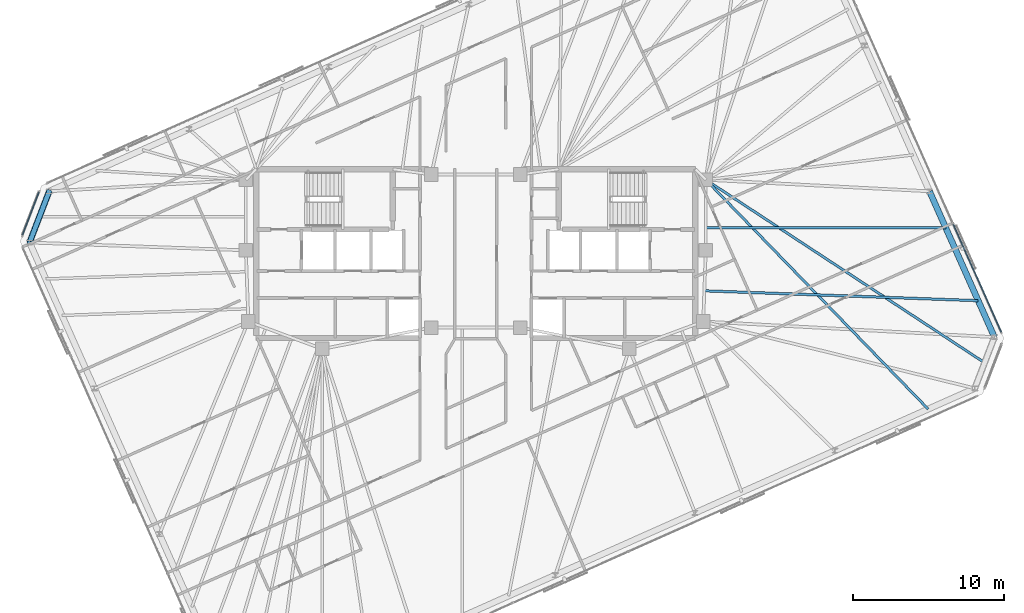
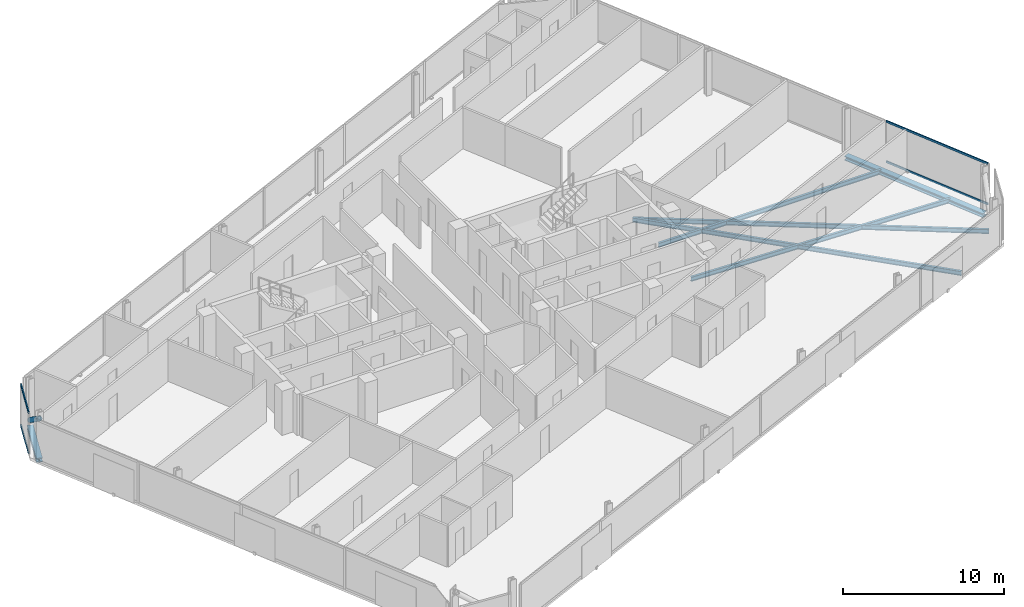
# One storey, part 8 of 18: 6 beams, 5 members, 2 elements without a shape of their own.
"""IFC4 building model written with IfcOpenShell, lengths in metres."""

from ifc_helpers import new_model, si_unit, direction, frame, origin, origin_2d, place, context, subcontext, project, spatial, rectangle, hollow_circle, i_section, extrude, material, material_profile, profile_set, type_object, element, aggregate, save


model = new_model("IFC4")

# Units and contexts
model_context = context("Model", 3, precision=1e-05, world=origin(), true_north=direction((0.0, 1.0)))
body_context = subcontext(model_context, "Body", "Model", "MODEL_VIEW")
ifc_project = project(units=[si_unit("LENGTHUNIT", "METRE"), si_unit("AREAUNIT", "SQUARE_METRE"), si_unit("VOLUMEUNIT", "CUBIC_METRE"), si_unit("PLANEANGLEUNIT", "RADIAN"), si_unit("MASSUNIT", "GRAM", prefix="KILO")], contexts=[model_context])

# Site, building, storey
site_placement = place(None, origin())
site = spatial("IfcSite", under=ifc_project, at=site_placement, CompositionType="ELEMENT")
building_placement = place(site_placement, origin())
building = spatial("IfcBuilding", under=site, at=building_placement, Name="Menara Jurai Vektor", CompositionType="ELEMENT")
storey_placement = place(building_placement, frame((0.0, 0.0, 258.85009765625)))
storey = spatial("IfcBuildingStorey", under=building, at=storey_placement, Name="L69", CompositionType="ELEMENT", Elevation=258.85009765625)

# Curtain wall, members
ifc_material_1 = material(Name="Anodised Pale Aluminium & Low-E Double Glazing", Category="aluminium")
curtain_wall_type = type_object("IfcCurtainWallType", Name="CW-BLK5", PredefinedType="NOTDEFINED", material=ifc_material_1)
curtain_wall_1_placement = place(storey_placement, origin())
curtain_wall_1 = element("IfcCurtainWall", 1, at=curtain_wall_1_placement, inside=storey, type_object=curtain_wall_type, Name="Unitised Curtain Wall L69 F03", PredefinedType="NOTDEFINED")
ifc_material_2 = material(Name="Anodised Pale Aluminium Transom", Category="aluminium")
ifc_material_profile_1 = material_profile(ifc_material_2, rectangle(XDim=0.074951171875, YDim=0.155029296875, at=origin_2d()), Name="ALU TRN 75x155")
ifc_profile_set_1 = profile_set([ifc_material_profile_1], Name="Anodised Pale Aluminium Transom")
member_type_1 = type_object("IfcMemberType", Name="CW-BLK5-TRN", PredefinedType="USERDEFINED", material=ifc_profile_set_1)
member_1_placement = place(storey_placement, frame((34.840087890625, -5.19189453125, 0.037353515625), z_axis=(-0.406739711224, 0.913544091609, 0.0), x_axis=(-0.913544091609, -0.406739711224, 0.0)))
member_1 = element("IfcMember", 2, at=member_1_placement, type_object=member_type_1, Name="CW-05 transom 1.1", ObjectType="TRANSOM", PredefinedType="USERDEFINED", context=body_context, shape_type="SweptSolid", body=[
    extrude(rectangle(XDim=0.074951171875, YDim=0.155029296875, at=origin_2d()), origin(), (0.0, 0.0, 1.0), 7.797607421875),
])
member_2_placement = place(storey_placement, frame((34.840087890625, -5.19189453125, 3.08740234375), z_axis=(-0.406739711224, 0.913544091609, 0.0), x_axis=(-0.913544091609, -0.406739711224, 0.0)))
member_2 = element("IfcMember", 3, at=member_2_placement, type_object=member_type_1, Name="CW-05 transom 1.2", ObjectType="TRANSOM", PredefinedType="USERDEFINED", context=body_context, shape_type="SweptSolid", body=[
    extrude(rectangle(XDim=0.074951171875, YDim=0.155029296875, at=origin_2d()), origin(), (0.0, 0.0, 1.0), 7.797607421875),
])
aggregate(curtain_wall_1, [member_1, member_2])

curtain_wall_2_placement = place(storey_placement, origin())
curtain_wall_2 = element("IfcCurtainWall", 4, at=curtain_wall_2_placement, inside=storey, type_object=curtain_wall_type, Name="Unitised Curtain Wall L69 F06", PredefinedType="NOTDEFINED")
member_3_placement = place(storey_placement, frame((-28.96923828125, 4.079345703125, 0.037353515625), z_axis=(-0.358324523823, -0.933597094911, 0.0), x_axis=(0.933597094911, -0.358324523823, 0.0)))
member_3 = element("IfcMember", 5, at=member_3_placement, type_object=member_type_1, Name="CW-05 transom 1.1", ObjectType="TRANSOM", PredefinedType="USERDEFINED", context=body_context, shape_type="SweptSolid", body=[
    extrude(rectangle(XDim=0.074951171875, YDim=0.155029296875, at=origin_2d()), origin(), (0.0, 0.0, 1.0), 3.049560546875),
])
member_4_placement = place(storey_placement, frame((-28.96923828125, 4.079345703125, 3.08740234375), z_axis=(-0.358324523823, -0.933597094911, 0.0), x_axis=(0.933597094911, -0.358324523823, 0.0)))
member_4 = element("IfcMember", 6, at=member_4_placement, type_object=member_type_1, Name="CW-05 transom 1.2", ObjectType="TRANSOM", PredefinedType="USERDEFINED", context=body_context, shape_type="SweptSolid", body=[
    extrude(rectangle(XDim=0.074951171875, YDim=0.155029296875, at=origin_2d()), origin(), (0.0, 0.0, 1.0), 3.049560546875),
])
aggregate(curtain_wall_2, [member_3, member_4])

# Beams
ifc_material_3 = material(Name="Steel S460", Category="steel")
ifc_material_profile_2 = material_profile(ifc_material_3, i_section(OverallWidth=0.39697265625, OverallDepth=0.31591796875, WebThickness=0.030029296875, FlangeThickness=0.048095703125, FilletRadius=0.014892578125, at=origin_2d()), Name="HD 400x382")
ifc_profile_set_2 = profile_set([ifc_material_profile_2], Name="Steel S460")
beam_type_1 = type_object("IfcBeamType", Name="STR-BM-CHORD382", PredefinedType="SPANDREL", material=ifc_profile_set_2)
beam_1_placement = place(storey_placement, frame((34.3916015625, -5.536865234375, -0.383056640625), z_axis=(-0.40673543049, 0.91354599752, 0.0), x_axis=(-0.91354599752, -0.40673543049, 0.0)))
element("IfcBeam", 7, at=beam_1_placement, inside=storey, type_object=beam_type_1, Name="Exoskeleton Spandrel Beam L69-07", PredefinedType="SPANDREL", context=body_context, shape_type="SweptSolid", body=[
    extrude(i_section(OverallWidth=0.39697265625, OverallDepth=0.31591796875, WebThickness=0.030029296875, FlangeThickness=0.048095703125, FilletRadius=0.014892578125, at=origin_2d()), origin(), (0.0, 0.0, 1.0), 10.585205078125),
])
beam_2_placement = place(storey_placement, frame((-28.2880859375, 4.1328125, -0.383056640625), z_axis=(-0.358394346877, -0.933570293083, 0.0), x_axis=(0.933570293083, -0.358394346877, 0.0)))
element("IfcBeam", 8, at=beam_2_placement, inside=storey, type_object=beam_type_1, Name="Exoskeleton Spandrel Beam L69-16", PredefinedType="SPANDREL", context=body_context, shape_type="SweptSolid", body=[
    extrude(i_section(OverallWidth=0.39697265625, OverallDepth=0.31591796875, WebThickness=0.030029296875, FlangeThickness=0.048095703125, FilletRadius=0.014892578125, at=origin_2d()), origin(), (0.0, 0.0, 1.0), 3.6376953125),
])

# Member
ifc_material_profile_3 = material_profile(ifc_material_3, hollow_circle(Radius=0.177734375, WallThickness=0.01611328125, at=origin_2d()), Name="CHS 355.6x16")
ifc_profile_set_3 = profile_set([ifc_material_profile_3], Name="Steel S460")
member_type_2 = type_object("IfcMemberType", Name="STR-BR-356", PredefinedType="BRACE", material=ifc_profile_set_3)
member_5_placement = place(storey_placement, frame((-28.2880859375, 4.1328125, 0.14990234375), z_axis=(-0.2906257681, -0.757042028889, 0.585170085882), x_axis=(0.933570293083, -0.358394346877, 0.0)))
element("IfcMember", 9, at=member_5_placement, inside=storey, type_object=member_type_2, Name="Exoskeleton Corner Brace L69-3", PredefinedType="BRACE", context=body_context, shape_type="SweptSolid", body=[
    extrude(hollow_circle(Radius=0.177734375, WallThickness=0.01611328125, at=origin_2d()), origin(), (0.0, 0.0, 1.0), 4.48583984375),
])

# Beams
ifc_material_4 = material(Name="Steel S355", Category="steel")
ifc_material_profile_4 = material_profile(ifc_material_4, i_section(OverallWidth=0.1650390625, OverallDepth=0.330078125, WebThickness=0.009033203125, FlangeThickness=0.013916015625, at=origin_2d()), Name="PG 330x165x46")
ifc_profile_set_4 = profile_set([ifc_material_profile_4], Name="Steel S355")
beam_type_2 = type_object("IfcBeamType", Name="STR-JS-330", PredefinedType="JOIST", material=ifc_profile_set_4)
beam_3_placement = place(storey_placement, frame((29.996826171875, -10.30908203125, -0.39013671875), z_axis=(-0.696114697983, 0.717930586653, 0.0), x_axis=(-0.717930586653, -0.696114697983, 0.0)))
element("IfcBeam", 10, at=beam_3_placement, inside=storey, type_object=beam_type_2, Name="Radial Secondary Floor Joist L69-JS06", PredefinedType="JOIST", context=body_context, shape_type="SweptSolid", body=[
    extrude(i_section(OverallWidth=0.1650390625, OverallDepth=0.330078125, WebThickness=0.009033203125, FlangeThickness=0.013916015625, at=origin_2d()), origin(), (0.0, 0.0, 1.0), 21.1845703125),
])
beam_4_placement = place(storey_placement, frame((33.739990234375, -7.23486328125, -0.39013671875), z_axis=(-0.836033194478, 0.54867886576, 0.0), x_axis=(-0.54867886576, -0.836033194478, 0.0)))
element("IfcBeam", 11, at=beam_4_placement, inside=storey, type_object=beam_type_2, Name="Radial Secondary Floor Joist L69-JS07", PredefinedType="JOIST", context=body_context, shape_type="SweptSolid", body=[
    extrude(i_section(OverallWidth=0.1650390625, OverallDepth=0.330078125, WebThickness=0.009033203125, FlangeThickness=0.013916015625, at=origin_2d()), origin(), (0.0, 0.0, 1.0), 22.116455078125),
])
beam_5_placement = place(storey_placement, frame((33.315185546875, -3.119384765625, -0.39013671875), z_axis=(-0.999351699571, 0.036002507761, 0.0), x_axis=(-0.036002507761, -0.999351699571, 0.0)))
element("IfcBeam", 12, at=beam_5_placement, inside=storey, type_object=beam_type_2, Name="Radial Secondary Floor Joist L69-JS08", PredefinedType="JOIST", context=body_context, shape_type="SweptSolid", body=[
    extrude(i_section(OverallWidth=0.1650390625, OverallDepth=0.330078125, WebThickness=0.009033203125, FlangeThickness=0.013916015625, at=origin_2d()), origin(), (0.0, 0.0, 1.0), 18.173583984375),
])
beam_6_placement = place(storey_placement, frame((31.16259765625, 1.7158203125, -0.39013671875), z_axis=(-1.0, 0.0, 0.0), x_axis=(0.0, -1.0, 0.0)))
element("IfcBeam", 13, at=beam_6_placement, inside=storey, type_object=beam_type_2, Name="Radial Secondary Floor Joist L69-JS09", PredefinedType="JOIST", context=body_context, shape_type="SweptSolid", body=[
    extrude(i_section(OverallWidth=0.1650390625, OverallDepth=0.330078125, WebThickness=0.009033203125, FlangeThickness=0.013916015625, at=origin_2d()), origin(), (0.0, 0.0, 1.0), 15.91259765625),
])

save(model, "model.ifc")
